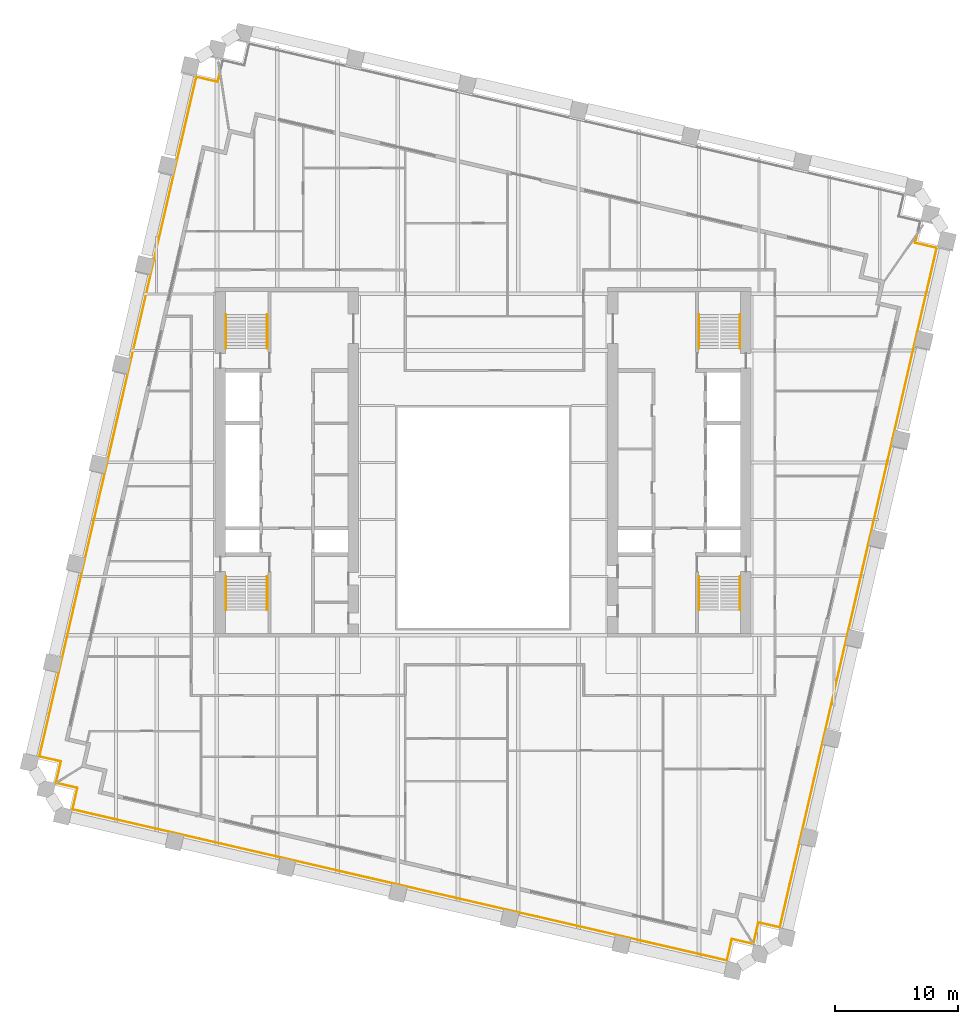
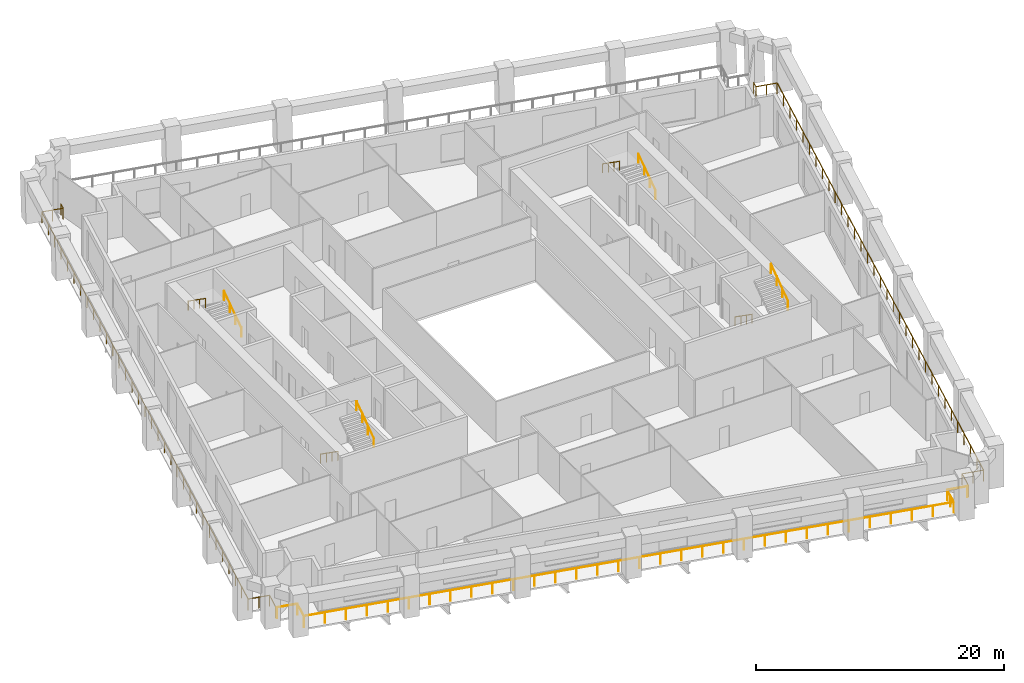
# One storey, part 11 of 12: 11 railings.
"""IFC4 building model written with IfcOpenShell, lengths in metres."""

from ifc_helpers import new_model, si_unit, direction, frame, origin, origin_2d, place, context, subcontext, project, spatial, circle, extrude, material, type_object, element, save


model = new_model("IFC4")

# Units and contexts
model_context = context("Model", 3, precision=1e-05, world=origin(), true_north=direction((0.0, 1.0)))
body_context = subcontext(model_context, "Body", "Model", "MODEL_VIEW")
ifc_project = project(units=[si_unit("LENGTHUNIT", "METRE"), si_unit("AREAUNIT", "SQUARE_METRE"), si_unit("VOLUMEUNIT", "CUBIC_METRE"), si_unit("PLANEANGLEUNIT", "RADIAN"), si_unit("MASSUNIT", "GRAM", prefix="KILO")], contexts=[model_context])

# Site, building, storey
site_placement = place(None, origin())
site = spatial("IfcSite", under=ifc_project, at=site_placement, CompositionType="ELEMENT")
building_placement = place(site_placement, origin())
building = spatial("IfcBuilding", under=site, at=building_placement, Name="Ogive Exchange Tower", CompositionType="ELEMENT")
storey_placement = place(building_placement, frame((0.0, 0.0, 139.199951171875)))
storey = spatial("IfcBuildingStorey", under=building, at=storey_placement, Name="L30", CompositionType="ELEMENT", Elevation=139.199951171875)

# Railings
ifc_material_1 = material(Name="Stainless steel 316", Category="steel")
railing_type_1 = type_object("IfcRailingType", Name="Guard 1100 stainless steel and glass", PredefinedType="GUARDRAIL", material=ifc_material_1)
railing_1_placement = place(storey_placement, frame((21.947265625, -27.74462890625, -0.050048828125)))
element("IfcRailing", 1, at=railing_1_placement, inside=storey, type_object=railing_type_1, Name="Loggia guard 1", PredefinedType="GUARDRAIL", context=body_context, shape_type="SweptSolid", body=[
    extrude(circle(Radius=0.02392578125, at=origin_2d()), frame((0.0, 0.0, 1.076171875), z_axis=(-0.974396013545, 0.224838628327, 0.0), x_axis=(-0.224838628327, -0.974396013545, 0.0)), (0.0, 0.0, 1.0), 1.7080078125),
    extrude(circle(Radius=0.02392578125, at=origin_2d()), frame((-1.664306640625, 0.384033203125, 1.076171875), z_axis=(-0.225008086135, -0.974356896201, 0.0), x_axis=(0.974356896201, -0.225008086135, 0.0)), (0.0, 0.0, 1.0), 1.800048828125),
    extrude(circle(Radius=0.02392578125, at=origin_2d()), frame((-2.0693359375, -1.369873046875, 1.076171875), z_axis=(-0.974368873975, 0.224956212247, 0.0), x_axis=(-0.224956212247, -0.974368873975, 0.0)), (0.0, 0.0, 1.0), 54.760009765625),
    extrude(circle(Radius=0.02392578125, at=origin_2d()), frame((-55.42578125, 10.94873046875, 1.076171875), z_axis=(0.22503782496, 0.974350028141, 0.0), x_axis=(-0.974350028141, 0.22503782496, 0.0)), (0.0, 0.0, 1.0), 1.7998046875),
    extrude(circle(Radius=0.02392578125, at=origin_2d()), frame((-55.020751953125, 12.702392578125, 1.076171875), z_axis=(-0.974364690374, 0.224974332206, 0.0), x_axis=(-0.224974332206, -0.974364690374, 0.0)), (0.0, 0.0, 1.0), 1.7080078125),
    extrude(circle(Radius=0.02099609375, at=origin_2d()), origin(), (0.0, 0.0, 1.0), 1.052001953125),
    extrude(circle(Radius=0.02099609375, at=origin_2d()), frame((-1.664306640625, 0.384033203125, 0.0)), (0.0, 0.0, 1.0), 1.052001953125),
    extrude(circle(Radius=0.02099609375, at=origin_2d()), frame((-1.86669921875, -0.492919921875, 0.0)), (0.0, 0.0, 1.0), 1.052001953125),
    extrude(circle(Radius=0.02099609375, at=origin_2d()), frame((-2.0693359375, -1.369873046875, 0.0)), (0.0, 0.0, 1.0), 1.052001953125),
    extrude(circle(Radius=0.02099609375, at=origin_2d()), frame((-3.79052734375, -0.972412109375, 0.0)), (0.0, 0.0, 1.0), 1.052001953125),
    extrude(circle(Radius=0.02099609375, at=origin_2d()), frame((-5.51171875, -0.5751953125, 0.0)), (0.0, 0.0, 1.0), 1.052001953125),
    extrude(circle(Radius=0.02099609375, at=origin_2d()), frame((-7.23291015625, -0.177734375, 0.0)), (0.0, 0.0, 1.0), 1.052001953125),
    extrude(circle(Radius=0.02099609375, at=origin_2d()), frame((-8.9541015625, 0.2197265625, 0.0)), (0.0, 0.0, 1.0), 1.052001953125),
    extrude(circle(Radius=0.02099609375, at=origin_2d()), frame((-10.67529296875, 0.616943359375, 0.0)), (0.0, 0.0, 1.0), 1.052001953125),
    extrude(circle(Radius=0.02099609375, at=origin_2d()), frame((-12.396484375, 1.014404296875, 0.0)), (0.0, 0.0, 1.0), 1.052001953125),
    extrude(circle(Radius=0.02099609375, at=origin_2d()), frame((-14.11767578125, 1.411865234375, 0.0)), (0.0, 0.0, 1.0), 1.052001953125),
    extrude(circle(Radius=0.02099609375, at=origin_2d()), frame((-15.838623046875, 1.80908203125, 0.0)), (0.0, 0.0, 1.0), 1.052001953125),
    extrude(circle(Radius=0.02099609375, at=origin_2d()), frame((-17.559814453125, 2.20654296875, 0.0)), (0.0, 0.0, 1.0), 1.052001953125),
    extrude(circle(Radius=0.02099609375, at=origin_2d()), frame((-19.281005859375, 2.603759765625, 0.0)), (0.0, 0.0, 1.0), 1.052001953125),
    extrude(circle(Radius=0.02099609375, at=origin_2d()), frame((-21.002197265625, 3.001220703125, 0.0)), (0.0, 0.0, 1.0), 1.052001953125),
    extrude(circle(Radius=0.02099609375, at=origin_2d()), frame((-22.723388671875, 3.398681640625, 0.0)), (0.0, 0.0, 1.0), 1.052001953125),
    extrude(circle(Radius=0.02099609375, at=origin_2d()), frame((-24.444580078125, 3.7958984375, 0.0)), (0.0, 0.0, 1.0), 1.052001953125),
    extrude(circle(Radius=0.02099609375, at=origin_2d()), frame((-26.165771484375, 4.193359375, 0.0)), (0.0, 0.0, 1.0), 1.052001953125),
    extrude(circle(Radius=0.02099609375, at=origin_2d()), frame((-27.886962890625, 4.5908203125, 0.0)), (0.0, 0.0, 1.0), 1.052001953125),
    extrude(circle(Radius=0.02099609375, at=origin_2d()), frame((-29.608154296875, 4.988037109375, 0.0)), (0.0, 0.0, 1.0), 1.052001953125),
    extrude(circle(Radius=0.02099609375, at=origin_2d()), frame((-31.329345703125, 5.385498046875, 0.0)), (0.0, 0.0, 1.0), 1.052001953125),
    extrude(circle(Radius=0.02099609375, at=origin_2d()), frame((-33.050537109375, 5.782958984375, 0.0)), (0.0, 0.0, 1.0), 1.052001953125),
    extrude(circle(Radius=0.02099609375, at=origin_2d()), frame((-34.771728515625, 6.18017578125, 0.0)), (0.0, 0.0, 1.0), 1.052001953125),
    extrude(circle(Radius=0.02099609375, at=origin_2d()), frame((-36.492919921875, 6.57763671875, 0.0)), (0.0, 0.0, 1.0), 1.052001953125),
    extrude(circle(Radius=0.02099609375, at=origin_2d()), frame((-38.214111328125, 6.97509765625, 0.0)), (0.0, 0.0, 1.0), 1.052001953125),
    extrude(circle(Radius=0.02099609375, at=origin_2d()), frame((-39.935302734375, 7.372314453125, 0.0)), (0.0, 0.0, 1.0), 1.052001953125),
    extrude(circle(Radius=0.02099609375, at=origin_2d()), frame((-41.656494140625, 7.769775390625, 0.0)), (0.0, 0.0, 1.0), 1.052001953125),
    extrude(circle(Radius=0.02099609375, at=origin_2d()), frame((-43.37744140625, 8.1669921875, 0.0)), (0.0, 0.0, 1.0), 1.052001953125),
    extrude(circle(Radius=0.02099609375, at=origin_2d()), frame((-45.0986328125, 8.564453125, 0.0)), (0.0, 0.0, 1.0), 1.052001953125),
    extrude(circle(Radius=0.02099609375, at=origin_2d()), frame((-46.81982421875, 8.9619140625, 0.0)), (0.0, 0.0, 1.0), 1.052001953125),
    extrude(circle(Radius=0.02099609375, at=origin_2d()), frame((-48.541015625, 9.359130859375, 0.0)), (0.0, 0.0, 1.0), 1.052001953125),
    extrude(circle(Radius=0.02099609375, at=origin_2d()), frame((-50.26220703125, 9.756591796875, 0.0)), (0.0, 0.0, 1.0), 1.052001953125),
    extrude(circle(Radius=0.02099609375, at=origin_2d()), frame((-51.9833984375, 10.154052734375, 0.0)), (0.0, 0.0, 1.0), 1.052001953125),
    extrude(circle(Radius=0.02099609375, at=origin_2d()), frame((-53.70458984375, 10.55126953125, 0.0)), (0.0, 0.0, 1.0), 1.052001953125),
    extrude(circle(Radius=0.02099609375, at=origin_2d()), frame((-55.42578125, 10.94873046875, 0.0)), (0.0, 0.0, 1.0), 1.052001953125),
    extrude(circle(Radius=0.02099609375, at=origin_2d()), frame((-55.020751953125, 12.702392578125, 0.0)), (0.0, 0.0, 1.0), 1.052001953125),
    extrude(circle(Radius=0.02099609375, at=origin_2d()), frame((-56.68505859375, 13.086669921875, 0.0)), (0.0, 0.0, 1.0), 1.052001953125),
])
railing_2_placement = place(storey_placement, frame((-34.806884765625, -14.547607421875, -0.050048828125)))
element("IfcRailing", 2, at=railing_2_placement, inside=storey, type_object=railing_type_1, Name="Loggia guard 2", PredefinedType="GUARDRAIL", context=body_context, shape_type="SweptSolid", body=[
    extrude(circle(Radius=0.02392578125, at=origin_2d()), frame((0.0, 0.0, 1.076171875), z_axis=(0.224974332206, 0.974364690374, 0.0), x_axis=(-0.974364690374, 0.224974332206, 0.0)), (0.0, 0.0, 1.0), 1.7080078125),
    extrude(circle(Radius=0.02392578125, at=origin_2d()), frame((0.38427734375, 1.664306640625, 1.076171875), z_axis=(-0.974386623598, 0.224879318197, 0.0), x_axis=(-0.224879318197, -0.974386623598, 0.0)), (0.0, 0.0, 1.0), 1.800048828125),
    extrude(circle(Radius=0.02392578125, at=origin_2d()), frame((-1.36962890625, 2.069091796875, 1.076171875), z_axis=(0.224951386116, 0.97436998819, 0.0), x_axis=(-0.97436998819, 0.224951386116, 0.0)), (0.0, 0.0, 1.0), 56.860107421875),
    extrude(circle(Radius=0.02392578125, at=origin_2d()), frame((11.421142578125, 57.471923828125, 1.076171875), z_axis=(0.974356896201, -0.225008086135, 0.0), x_axis=(0.225008086135, 0.974356896201, 0.0)), (0.0, 0.0, 1.0), 1.800048828125),
    extrude(circle(Radius=0.02392578125, at=origin_2d()), frame((13.175048828125, 57.06689453125, 1.076171875), z_axis=(0.224888270917, 0.974384557351, 0.0), x_axis=(-0.974384557351, 0.224888270917, 0.0)), (0.0, 0.0, 1.0), 0.619873046875),
    extrude(circle(Radius=0.02099609375, at=origin_2d()), origin(), (0.0, 0.0, 1.0), 1.052001953125),
    extrude(circle(Radius=0.02099609375, at=origin_2d()), frame((0.38427734375, 1.664306640625, 0.0)), (0.0, 0.0, 1.0), 1.052001953125),
    extrude(circle(Radius=0.02099609375, at=origin_2d()), frame((-0.49267578125, 1.86669921875, 0.0)), (0.0, 0.0, 1.0), 1.052001953125),
    extrude(circle(Radius=0.02099609375, at=origin_2d()), frame((-1.36962890625, 2.069091796875, 0.0)), (0.0, 0.0, 1.0), 1.052001953125),
    extrude(circle(Radius=0.02099609375, at=origin_2d()), frame((-0.969970703125, 3.800537109375, 0.0)), (0.0, 0.0, 1.0), 1.052001953125),
    extrude(circle(Radius=0.02099609375, at=origin_2d()), frame((-0.5703125, 5.53173828125, 0.0)), (0.0, 0.0, 1.0), 1.052001953125),
    extrude(circle(Radius=0.02099609375, at=origin_2d()), frame((-0.17041015625, 7.26318359375, 0.0)), (0.0, 0.0, 1.0), 1.052001953125),
    extrude(circle(Radius=0.02099609375, at=origin_2d()), frame((0.229248046875, 8.994384765625, 0.0)), (0.0, 0.0, 1.0), 1.052001953125),
    extrude(circle(Radius=0.02099609375, at=origin_2d()), frame((0.62890625, 10.725830078125, 0.0)), (0.0, 0.0, 1.0), 1.052001953125),
    extrude(circle(Radius=0.02099609375, at=origin_2d()), frame((1.028564453125, 12.45703125, 0.0)), (0.0, 0.0, 1.0), 1.052001953125),
    extrude(circle(Radius=0.02099609375, at=origin_2d()), frame((1.428466796875, 14.1884765625, 0.0)), (0.0, 0.0, 1.0), 1.052001953125),
    extrude(circle(Radius=0.02099609375, at=origin_2d()), frame((1.828125, 15.919921875, 0.0)), (0.0, 0.0, 1.0), 1.052001953125),
    extrude(circle(Radius=0.02099609375, at=origin_2d()), frame((2.227783203125, 17.651123046875, 0.0)), (0.0, 0.0, 1.0), 1.052001953125),
    extrude(circle(Radius=0.02099609375, at=origin_2d()), frame((2.62744140625, 19.382568359375, 0.0)), (0.0, 0.0, 1.0), 1.052001953125),
    extrude(circle(Radius=0.02099609375, at=origin_2d()), frame((3.027099609375, 21.11376953125, 0.0)), (0.0, 0.0, 1.0), 1.052001953125),
    extrude(circle(Radius=0.02099609375, at=origin_2d()), frame((3.427001953125, 22.84521484375, 0.0)), (0.0, 0.0, 1.0), 1.052001953125),
    extrude(circle(Radius=0.02099609375, at=origin_2d()), frame((3.82666015625, 24.576416015625, 0.0)), (0.0, 0.0, 1.0), 1.052001953125),
    extrude(circle(Radius=0.02099609375, at=origin_2d()), frame((4.226318359375, 26.307861328125, 0.0)), (0.0, 0.0, 1.0), 1.052001953125),
    extrude(circle(Radius=0.02099609375, at=origin_2d()), frame((4.6259765625, 28.0390625, 0.0)), (0.0, 0.0, 1.0), 1.052001953125),
    extrude(circle(Radius=0.02099609375, at=origin_2d()), frame((5.02587890625, 29.7705078125, 0.0)), (0.0, 0.0, 1.0), 1.052001953125),
    extrude(circle(Radius=0.02099609375, at=origin_2d()), frame((5.425537109375, 31.501953125, 0.0)), (0.0, 0.0, 1.0), 1.052001953125),
    extrude(circle(Radius=0.02099609375, at=origin_2d()), frame((5.8251953125, 33.233154296875, 0.0)), (0.0, 0.0, 1.0), 1.052001953125),
    extrude(circle(Radius=0.02099609375, at=origin_2d()), frame((6.224853515625, 34.964599609375, 0.0)), (0.0, 0.0, 1.0), 1.052001953125),
    extrude(circle(Radius=0.02099609375, at=origin_2d()), frame((6.62451171875, 36.69580078125, 0.0)), (0.0, 0.0, 1.0), 1.052001953125),
    extrude(circle(Radius=0.02099609375, at=origin_2d()), frame((7.0244140625, 38.42724609375, 0.0)), (0.0, 0.0, 1.0), 1.052001953125),
    extrude(circle(Radius=0.02099609375, at=origin_2d()), frame((7.424072265625, 40.158447265625, 0.0)), (0.0, 0.0, 1.0), 1.052001953125),
    extrude(circle(Radius=0.02099609375, at=origin_2d()), frame((7.82373046875, 41.889892578125, 0.0)), (0.0, 0.0, 1.0), 1.052001953125),
    extrude(circle(Radius=0.02099609375, at=origin_2d()), frame((8.223388671875, 43.62109375, 0.0)), (0.0, 0.0, 1.0), 1.052001953125),
    extrude(circle(Radius=0.02099609375, at=origin_2d()), frame((8.623046875, 45.3525390625, 0.0)), (0.0, 0.0, 1.0), 1.052001953125),
    extrude(circle(Radius=0.02099609375, at=origin_2d()), frame((9.02294921875, 47.083984375, 0.0)), (0.0, 0.0, 1.0), 1.052001953125),
    extrude(circle(Radius=0.02099609375, at=origin_2d()), frame((9.422607421875, 48.815185546875, 0.0)), (0.0, 0.0, 1.0), 1.052001953125),
    extrude(circle(Radius=0.02099609375, at=origin_2d()), frame((9.822265625, 50.546630859375, 0.0)), (0.0, 0.0, 1.0), 1.052001953125),
    extrude(circle(Radius=0.02099609375, at=origin_2d()), frame((10.221923828125, 52.27783203125, 0.0)), (0.0, 0.0, 1.0), 1.052001953125),
    extrude(circle(Radius=0.02099609375, at=origin_2d()), frame((10.621826171875, 54.00927734375, 0.0)), (0.0, 0.0, 1.0), 1.052001953125),
    extrude(circle(Radius=0.02099609375, at=origin_2d()), frame((11.021484375, 55.740478515625, 0.0)), (0.0, 0.0, 1.0), 1.052001953125),
    extrude(circle(Radius=0.02099609375, at=origin_2d()), frame((11.421142578125, 57.471923828125, 0.0)), (0.0, 0.0, 1.0), 1.052001953125),
    extrude(circle(Radius=0.02099609375, at=origin_2d()), frame((12.298095703125, 57.26953125, 0.0)), (0.0, 0.0, 1.0), 1.052001953125),
    extrude(circle(Radius=0.02099609375, at=origin_2d()), frame((13.175048828125, 57.06689453125, 0.0)), (0.0, 0.0, 1.0), 1.052001953125),
    extrude(circle(Radius=0.02099609375, at=origin_2d()), frame((13.314453125, 57.6708984375, 0.0)), (0.0, 0.0, 1.0), 1.052001953125),
])
railing_3_placement = place(storey_placement, frame((35.371826171875, 29.9951171875, -0.050048828125)))
element("IfcRailing", 3, at=railing_3_placement, inside=storey, type_object=railing_type_1, Name="Loggia guard 4", PredefinedType="GUARDRAIL", context=body_context, shape_type="SweptSolid", body=[
    extrude(circle(Radius=0.02392578125, at=origin_2d()), frame((0.0, 0.0, 1.076171875), z_axis=(-0.224888270917, -0.974384557351, 0.0), x_axis=(0.974384557351, -0.224888270917, 0.0)), (0.0, 0.0, 1.0), 0.619873046875),
    extrude(circle(Radius=0.02392578125, at=origin_2d()), frame((-0.139404296875, -0.60400390625, 1.076171875), z_axis=(0.974356896201, -0.225008086135, 0.0), x_axis=(0.225008086135, 0.974356896201, 0.0)), (0.0, 0.0, 1.0), 1.800048828125),
    extrude(circle(Radius=0.02392578125, at=origin_2d()), frame((1.614501953125, -1.009033203125, 1.076171875), z_axis=(-0.224952327239, -0.974369770913, 0.0), x_axis=(0.974369770913, -0.224952327239, 0.0)), (0.0, 0.0, 1.0), 56.85986328125),
    extrude(circle(Radius=0.02392578125, at=origin_2d()), frame((-11.17626953125, -56.41162109375, 1.076171875), z_axis=(-0.974356896201, 0.225008086135, 0.0), x_axis=(-0.225008086135, -0.974356896201, 0.0)), (0.0, 0.0, 1.0), 1.800048828125),
    extrude(circle(Radius=0.02392578125, at=origin_2d()), frame((-12.93017578125, -56.006591796875, 1.076171875), z_axis=(-0.224974332206, -0.974364690374, 0.0), x_axis=(0.974364690374, -0.224974332206, 0.0)), (0.0, 0.0, 1.0), 1.7080078125),
    extrude(circle(Radius=0.02099609375, at=origin_2d()), origin(), (0.0, 0.0, 1.0), 1.052001953125),
    extrude(circle(Radius=0.02099609375, at=origin_2d()), frame((-0.139404296875, -0.60400390625, 0.0)), (0.0, 0.0, 1.0), 1.052001953125),
    extrude(circle(Radius=0.02099609375, at=origin_2d()), frame((0.737548828125, -0.806640625, 0.0)), (0.0, 0.0, 1.0), 1.052001953125),
    extrude(circle(Radius=0.02099609375, at=origin_2d()), frame((1.614501953125, -1.009033203125, 0.0)), (0.0, 0.0, 1.0), 1.052001953125),
    extrude(circle(Radius=0.02099609375, at=origin_2d()), frame((1.21484375, -2.740478515625, 0.0)), (0.0, 0.0, 1.0), 1.052001953125),
    extrude(circle(Radius=0.02099609375, at=origin_2d()), frame((0.815185546875, -4.4716796875, 0.0)), (0.0, 0.0, 1.0), 1.052001953125),
    extrude(circle(Radius=0.02099609375, at=origin_2d()), frame((0.415283203125, -6.203125, 0.0)), (0.0, 0.0, 1.0), 1.052001953125),
    extrude(circle(Radius=0.02099609375, at=origin_2d()), frame((0.015625, -7.934326171875, 0.0)), (0.0, 0.0, 1.0), 1.052001953125),
    extrude(circle(Radius=0.02099609375, at=origin_2d()), frame((-0.384033203125, -9.665771484375, 0.0)), (0.0, 0.0, 1.0), 1.052001953125),
    extrude(circle(Radius=0.02099609375, at=origin_2d()), frame((-0.78369140625, -11.39697265625, 0.0)), (0.0, 0.0, 1.0), 1.052001953125),
    extrude(circle(Radius=0.02099609375, at=origin_2d()), frame((-1.18359375, -13.12841796875, 0.0)), (0.0, 0.0, 1.0), 1.052001953125),
    extrude(circle(Radius=0.02099609375, at=origin_2d()), frame((-1.583251953125, -14.859619140625, 0.0)), (0.0, 0.0, 1.0), 1.052001953125),
    extrude(circle(Radius=0.02099609375, at=origin_2d()), frame((-1.98291015625, -16.591064453125, 0.0)), (0.0, 0.0, 1.0), 1.052001953125),
    extrude(circle(Radius=0.02099609375, at=origin_2d()), frame((-2.382568359375, -18.322265625, 0.0)), (0.0, 0.0, 1.0), 1.052001953125),
    extrude(circle(Radius=0.02099609375, at=origin_2d()), frame((-2.7822265625, -20.0537109375, 0.0)), (0.0, 0.0, 1.0), 1.052001953125),
    extrude(circle(Radius=0.02099609375, at=origin_2d()), frame((-3.18212890625, -21.784912109375, 0.0)), (0.0, 0.0, 1.0), 1.052001953125),
    extrude(circle(Radius=0.02099609375, at=origin_2d()), frame((-3.581787109375, -23.516357421875, 0.0)), (0.0, 0.0, 1.0), 1.052001953125),
    extrude(circle(Radius=0.02099609375, at=origin_2d()), frame((-3.9814453125, -25.24755859375, 0.0)), (0.0, 0.0, 1.0), 1.052001953125),
    extrude(circle(Radius=0.02099609375, at=origin_2d()), frame((-4.381103515625, -26.97900390625, 0.0)), (0.0, 0.0, 1.0), 1.052001953125),
    extrude(circle(Radius=0.02099609375, at=origin_2d()), frame((-4.78076171875, -28.71044921875, 0.0)), (0.0, 0.0, 1.0), 1.052001953125),
    extrude(circle(Radius=0.02099609375, at=origin_2d()), frame((-5.1806640625, -30.441650390625, 0.0)), (0.0, 0.0, 1.0), 1.052001953125),
    extrude(circle(Radius=0.02099609375, at=origin_2d()), frame((-5.580322265625, -32.173095703125, 0.0)), (0.0, 0.0, 1.0), 1.052001953125),
    extrude(circle(Radius=0.02099609375, at=origin_2d()), frame((-5.97998046875, -33.904296875, 0.0)), (0.0, 0.0, 1.0), 1.052001953125),
    extrude(circle(Radius=0.02099609375, at=origin_2d()), frame((-6.379638671875, -35.6357421875, 0.0)), (0.0, 0.0, 1.0), 1.052001953125),
    extrude(circle(Radius=0.02099609375, at=origin_2d()), frame((-6.779541015625, -37.366943359375, 0.0)), (0.0, 0.0, 1.0), 1.052001953125),
    extrude(circle(Radius=0.02099609375, at=origin_2d()), frame((-7.17919921875, -39.098388671875, 0.0)), (0.0, 0.0, 1.0), 1.052001953125),
    extrude(circle(Radius=0.02099609375, at=origin_2d()), frame((-7.578857421875, -40.82958984375, 0.0)), (0.0, 0.0, 1.0), 1.052001953125),
    extrude(circle(Radius=0.02099609375, at=origin_2d()), frame((-7.978515625, -42.56103515625, 0.0)), (0.0, 0.0, 1.0), 1.052001953125),
    extrude(circle(Radius=0.02099609375, at=origin_2d()), frame((-8.378173828125, -44.292236328125, 0.0)), (0.0, 0.0, 1.0), 1.052001953125),
    extrude(circle(Radius=0.02099609375, at=origin_2d()), frame((-8.778076171875, -46.023681640625, 0.0)), (0.0, 0.0, 1.0), 1.052001953125),
    extrude(circle(Radius=0.02099609375, at=origin_2d()), frame((-9.177734375, -47.7548828125, 0.0)), (0.0, 0.0, 1.0), 1.052001953125),
    extrude(circle(Radius=0.02099609375, at=origin_2d()), frame((-9.577392578125, -49.486328125, 0.0)), (0.0, 0.0, 1.0), 1.052001953125),
    extrude(circle(Radius=0.02099609375, at=origin_2d()), frame((-9.97705078125, -51.217529296875, 0.0)), (0.0, 0.0, 1.0), 1.052001953125),
    extrude(circle(Radius=0.02099609375, at=origin_2d()), frame((-10.376953125, -52.948974609375, 0.0)), (0.0, 0.0, 1.0), 1.052001953125),
    extrude(circle(Radius=0.02099609375, at=origin_2d()), frame((-10.776611328125, -54.68017578125, 0.0)), (0.0, 0.0, 1.0), 1.052001953125),
    extrude(circle(Radius=0.02099609375, at=origin_2d()), frame((-11.17626953125, -56.41162109375, 0.0)), (0.0, 0.0, 1.0), 1.052001953125),
    extrude(circle(Radius=0.02099609375, at=origin_2d()), frame((-12.05322265625, -56.208984375, 0.0)), (0.0, 0.0, 1.0), 1.052001953125),
    extrude(circle(Radius=0.02099609375, at=origin_2d()), frame((-12.93017578125, -56.006591796875, 0.0)), (0.0, 0.0, 1.0), 1.052001953125),
    extrude(circle(Radius=0.02099609375, at=origin_2d()), frame((-13.314453125, -57.6708984375, 0.0)), (0.0, 0.0, 1.0), 1.052001953125),
])
ifc_material_2 = material(Name="Stainless steel", Category="steel")
railing_type_2 = type_object("IfcRailingType", Name="Stair handrail 900", PredefinedType="HANDRAIL", material=ifc_material_2)
railing_4_placement = place(storey_placement, frame((-20.949951171875, 2.199951171875, 0.175048828125)))
element("IfcRailing", 4, at=railing_4_placement, inside=storey, type_object=railing_type_2, Name="L30 ST1 stair handrail 1", PredefinedType="HANDRAIL", context=body_context, shape_type="SweptSolid", body=[
    extrude(circle(Radius=0.02392578125, at=origin_2d()), frame((0.0, 0.0, 0.8759765625), z_axis=(0.0, -0.819225086817, 0.573472106672), x_axis=(1.0, 0.0, 0.0)), (0.0, 0.0, 1.0), 3.35693359375),
    extrude(circle(Radius=0.02099609375, at=origin_2d()), origin(), (0.0, 0.0, 1.0), 0.851806640625),
    extrude(circle(Radius=0.02099609375, at=origin_2d()), frame((0.0, -0.916748046875, 0.6416015625)), (0.0, 0.0, 1.0), 0.851806640625),
    extrude(circle(Radius=0.02099609375, at=origin_2d()), frame((0.0, -1.833251953125, 1.283447265625)), (0.0, 0.0, 1.0), 0.851806640625),
    extrude(circle(Radius=0.02099609375, at=origin_2d()), frame((0.0, -2.75, 1.925048828125)), (0.0, 0.0, 1.0), 0.851806640625),
])
railing_5_placement = place(storey_placement, frame((-17.60009765625, -0.550048828125, 2.275146484375)))
element("IfcRailing", 5, at=railing_5_placement, inside=storey, type_object=railing_type_2, Name="L30 ST1 stair handrail 2", PredefinedType="HANDRAIL", context=body_context, shape_type="SweptSolid", body=[
    extrude(circle(Radius=0.02392578125, at=origin_2d()), frame((0.0, 0.0, 0.8759765625), z_axis=(0.0, 0.819259255306, 0.573423292687), x_axis=(-1.0, 0.0, 0.0)), (0.0, 0.0, 1.0), 3.356689453125),
    extrude(circle(Radius=0.02099609375, at=origin_2d()), origin(), (0.0, 0.0, 1.0), 0.851806640625),
    extrude(circle(Radius=0.02099609375, at=origin_2d()), frame((0.0, 0.916748046875, 0.6416015625)), (0.0, 0.0, 1.0), 0.851806640625),
    extrude(circle(Radius=0.02099609375, at=origin_2d()), frame((0.0, 1.833251953125, 1.283203125)), (0.0, 0.0, 1.0), 0.851806640625),
    extrude(circle(Radius=0.02099609375, at=origin_2d()), frame((0.0, 2.75, 1.9248046875)), (0.0, 0.0, 1.0), 0.851806640625),
])
railing_6_placement = place(storey_placement, frame((-17.60009765625, 20.800048828125, 0.175048828125)))
element("IfcRailing", 6, at=railing_6_placement, inside=storey, type_object=railing_type_2, Name="L30 ST2 stair handrail 1", PredefinedType="HANDRAIL", context=body_context, shape_type="SweptSolid", body=[
    extrude(circle(Radius=0.02392578125, at=origin_2d()), frame((0.0, 0.0, 0.8759765625), z_axis=(0.0, 0.819225086817, 0.573472106672), x_axis=(-1.0, 0.0, 0.0)), (0.0, 0.0, 1.0), 3.35693359375),
    extrude(circle(Radius=0.02099609375, at=origin_2d()), origin(), (0.0, 0.0, 1.0), 0.851806640625),
    extrude(circle(Radius=0.02099609375, at=origin_2d()), frame((0.0, 0.916748046875, 0.6416015625)), (0.0, 0.0, 1.0), 0.851806640625),
    extrude(circle(Radius=0.02099609375, at=origin_2d()), frame((0.0, 1.833251953125, 1.283447265625)), (0.0, 0.0, 1.0), 0.851806640625),
    extrude(circle(Radius=0.02099609375, at=origin_2d()), frame((0.0, 2.75, 1.925048828125)), (0.0, 0.0, 1.0), 0.851806640625),
])
railing_7_placement = place(storey_placement, frame((-20.949951171875, 23.550048828125, 2.275146484375)))
element("IfcRailing", 7, at=railing_7_placement, inside=storey, type_object=railing_type_2, Name="L30 ST2 stair handrail 2", PredefinedType="HANDRAIL", context=body_context, shape_type="SweptSolid", body=[
    extrude(circle(Radius=0.02392578125, at=origin_2d()), frame((0.0, 0.0, 0.8759765625), z_axis=(0.0, -0.819259255306, 0.573423292687), x_axis=(1.0, 0.0, 0.0)), (0.0, 0.0, 1.0), 3.356689453125),
    extrude(circle(Radius=0.02099609375, at=origin_2d()), origin(), (0.0, 0.0, 1.0), 0.851806640625),
    extrude(circle(Radius=0.02099609375, at=origin_2d()), frame((0.0, -0.916748046875, 0.6416015625)), (0.0, 0.0, 1.0), 0.851806640625),
    extrude(circle(Radius=0.02099609375, at=origin_2d()), frame((0.0, -1.833251953125, 1.283203125)), (0.0, 0.0, 1.0), 0.851806640625),
    extrude(circle(Radius=0.02099609375, at=origin_2d()), frame((0.0, -2.75, 1.9248046875)), (0.0, 0.0, 1.0), 0.851806640625),
])
railing_8_placement = place(storey_placement, frame((17.60009765625, 2.199951171875, 0.175048828125)))
element("IfcRailing", 8, at=railing_8_placement, inside=storey, type_object=railing_type_2, Name="L30 ST3 stair handrail 1", PredefinedType="HANDRAIL", context=body_context, shape_type="SweptSolid", body=[
    extrude(circle(Radius=0.02392578125, at=origin_2d()), frame((0.0, 0.0, 0.8759765625), z_axis=(0.0, -0.819225086817, 0.573472106672), x_axis=(1.0, 0.0, 0.0)), (0.0, 0.0, 1.0), 3.35693359375),
    extrude(circle(Radius=0.02099609375, at=origin_2d()), origin(), (0.0, 0.0, 1.0), 0.851806640625),
    extrude(circle(Radius=0.02099609375, at=origin_2d()), frame((0.0, -0.916748046875, 0.6416015625)), (0.0, 0.0, 1.0), 0.851806640625),
    extrude(circle(Radius=0.02099609375, at=origin_2d()), frame((0.0, -1.833251953125, 1.283447265625)), (0.0, 0.0, 1.0), 0.851806640625),
    extrude(circle(Radius=0.02099609375, at=origin_2d()), frame((0.0, -2.75, 1.925048828125)), (0.0, 0.0, 1.0), 0.851806640625),
])
railing_9_placement = place(storey_placement, frame((20.949951171875, -0.550048828125, 2.275146484375)))
element("IfcRailing", 9, at=railing_9_placement, inside=storey, type_object=railing_type_2, Name="L30 ST3 stair handrail 2", PredefinedType="HANDRAIL", context=body_context, shape_type="SweptSolid", body=[
    extrude(circle(Radius=0.02392578125, at=origin_2d()), frame((0.0, 0.0, 0.8759765625), z_axis=(0.0, 0.819259255306, 0.573423292687), x_axis=(-1.0, 0.0, 0.0)), (0.0, 0.0, 1.0), 3.356689453125),
    extrude(circle(Radius=0.02099609375, at=origin_2d()), origin(), (0.0, 0.0, 1.0), 0.851806640625),
    extrude(circle(Radius=0.02099609375, at=origin_2d()), frame((0.0, 0.916748046875, 0.6416015625)), (0.0, 0.0, 1.0), 0.851806640625),
    extrude(circle(Radius=0.02099609375, at=origin_2d()), frame((0.0, 1.833251953125, 1.283203125)), (0.0, 0.0, 1.0), 0.851806640625),
    extrude(circle(Radius=0.02099609375, at=origin_2d()), frame((0.0, 2.75, 1.9248046875)), (0.0, 0.0, 1.0), 0.851806640625),
])
railing_10_placement = place(storey_placement, frame((20.949951171875, 20.800048828125, 0.175048828125)))
element("IfcRailing", 10, at=railing_10_placement, inside=storey, type_object=railing_type_2, Name="L30 ST4 stair handrail 1", PredefinedType="HANDRAIL", context=body_context, shape_type="SweptSolid", body=[
    extrude(circle(Radius=0.02392578125, at=origin_2d()), frame((0.0, 0.0, 0.8759765625), z_axis=(0.0, 0.819225086817, 0.573472106672), x_axis=(-1.0, 0.0, 0.0)), (0.0, 0.0, 1.0), 3.35693359375),
    extrude(circle(Radius=0.02099609375, at=origin_2d()), origin(), (0.0, 0.0, 1.0), 0.851806640625),
    extrude(circle(Radius=0.02099609375, at=origin_2d()), frame((0.0, 0.916748046875, 0.6416015625)), (0.0, 0.0, 1.0), 0.851806640625),
    extrude(circle(Radius=0.02099609375, at=origin_2d()), frame((0.0, 1.833251953125, 1.283447265625)), (0.0, 0.0, 1.0), 0.851806640625),
    extrude(circle(Radius=0.02099609375, at=origin_2d()), frame((0.0, 2.75, 1.925048828125)), (0.0, 0.0, 1.0), 0.851806640625),
])
railing_11_placement = place(storey_placement, frame((17.60009765625, 23.550048828125, 2.275146484375)))
element("IfcRailing", 11, at=railing_11_placement, inside=storey, type_object=railing_type_2, Name="L30 ST4 stair handrail 2", PredefinedType="HANDRAIL", context=body_context, shape_type="SweptSolid", body=[
    extrude(circle(Radius=0.02392578125, at=origin_2d()), frame((0.0, 0.0, 0.8759765625), z_axis=(0.0, -0.819259255306, 0.573423292687), x_axis=(1.0, 0.0, 0.0)), (0.0, 0.0, 1.0), 3.356689453125),
    extrude(circle(Radius=0.02099609375, at=origin_2d()), origin(), (0.0, 0.0, 1.0), 0.851806640625),
    extrude(circle(Radius=0.02099609375, at=origin_2d()), frame((0.0, -0.916748046875, 0.6416015625)), (0.0, 0.0, 1.0), 0.851806640625),
    extrude(circle(Radius=0.02099609375, at=origin_2d()), frame((0.0, -1.833251953125, 1.283203125)), (0.0, 0.0, 1.0), 0.851806640625),
    extrude(circle(Radius=0.02099609375, at=origin_2d()), frame((0.0, -2.75, 1.9248046875)), (0.0, 0.0, 1.0), 0.851806640625),
])

save(model, "model.ifc")
